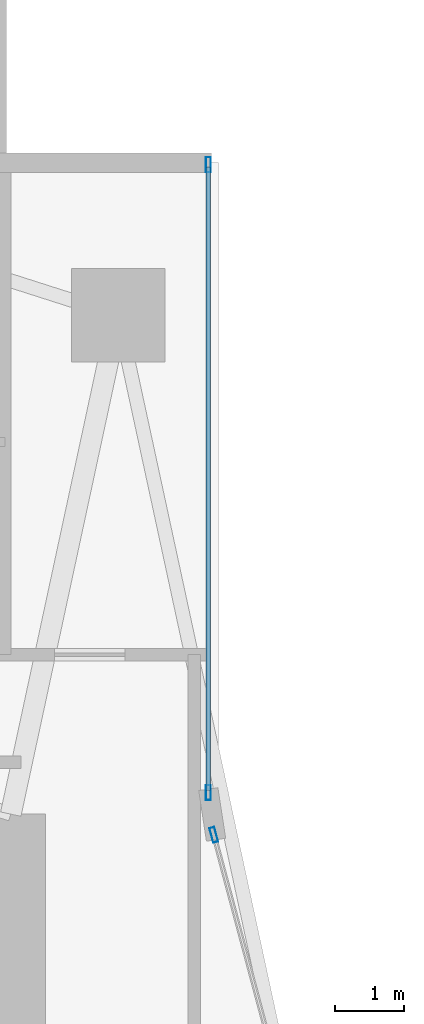
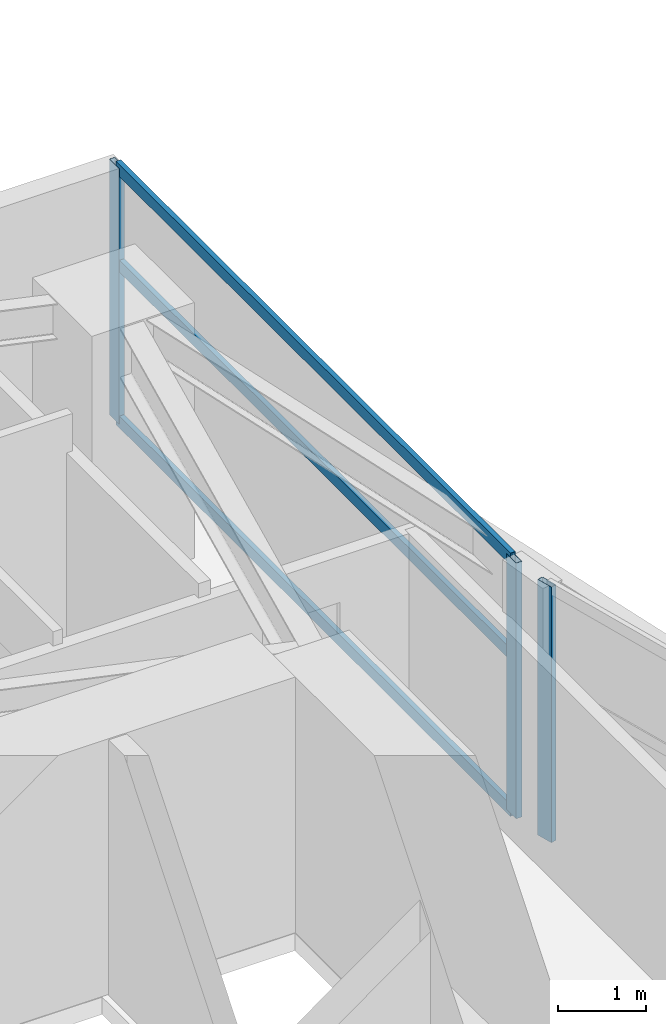
# One storey, part 18 of 29: 6 members, 2 elements without a shape of their own.
"""IFC4 building model written with IfcOpenShell, lengths in metres."""

from ifc_helpers import new_model, si_unit, direction, frame, origin, origin_2d, place, context, subcontext, project, spatial, hollow_rectangle, extrude, material, layer, layer_set, material_profile, profile_set, type_object, element, aggregate, save


model = new_model("IFC4")

# Units and contexts
model_context = context("Model", 3, precision=1e-05, world=origin(), true_north=direction((0.0, 1.0)))
body_context = subcontext(model_context, "Body", "Model", "MODEL_VIEW")
ifc_project = project(units=[si_unit("LENGTHUNIT", "METRE"), si_unit("AREAUNIT", "SQUARE_METRE"), si_unit("VOLUMEUNIT", "CUBIC_METRE"), si_unit("PLANEANGLEUNIT", "RADIAN"), si_unit("MASSUNIT", "GRAM", prefix="KILO")], contexts=[model_context])

# Site, building, storey
site_placement = place(None, origin())
site = spatial("IfcSite", under=ifc_project, at=site_placement, CompositionType="ELEMENT")
building_placement = place(site_placement, origin())
building = spatial("IfcBuilding", under=site, at=building_placement, Name="Calvorn Quay Hotel", CompositionType="ELEMENT")
storey_placement = place(building_placement, frame((0.0, 0.0, 69.800048828125)))
storey = spatial("IfcBuildingStorey", under=building, at=storey_placement, Name="L16", CompositionType="ELEMENT", Elevation=69.800048828125)

# Curtain wall, member
ifc_material_1 = material(Name="Pale Anodised Aluminium and Low-E Glass", Category="aluminium")
ifc_layer = layer(ifc_material_1, 0.219970703125)
ifc_layer_set = layer_set([ifc_layer], Name="CW-SYS-Z1")
curtain_wall_type = type_object("IfcCurtainWallType", Name="CW-SYS-Z1", PredefinedType="NOTDEFINED", material=ifc_layer_set)
curtain_wall_1_placement = place(storey_placement, origin())
curtain_wall_1 = element("IfcCurtainWall", 1, at=curtain_wall_1_placement, inside=storey, type_object=curtain_wall_type, Name="Inner Court Curtain Wall L16-IC1", PredefinedType="NOTDEFINED")
ifc_material_2 = material(Name="Pale Anodised Aluminium 6063-T6", Category="aluminium")
ifc_material_profile_1 = material_profile(ifc_material_2, hollow_rectangle(XDim=0.074951171875, YDim=0.219970703125, WallThickness=0.00439453125, at=origin_2d()), Name="ALU-M220x75x4.5")
ifc_profile_set_1 = profile_set([ifc_material_profile_1], Name="Pale Anodised Aluminium 6063-T6")
member_type_1 = type_object("IfcMemberType", Name="CW-SYS-Z1-MUL", PredefinedType="MULLION", material=ifc_profile_set_1)
member_1_placement = place(storey_placement, frame((17.9296875, 38.10107421875, 0.0), z_axis=(0.0, 0.0, 1.0), x_axis=(-0.96593652056, -0.25877913024, 0.0)))
member_1 = element("IfcMember", 2, at=member_1_placement, type_object=member_type_1, Name="CW-L16-IC1 mullion 2", PredefinedType="MULLION", context=body_context, shape_type="SweptSolid", body=[
    extrude(hollow_rectangle(XDim=0.074951171875, YDim=0.219970703125, WallThickness=0.00439453125, at=origin_2d()), origin(), (0.0, 0.0, 1.0), 3.56005859375),
])
aggregate(curtain_wall_1, [member_1])

# Curtain wall, members
curtain_wall_2_placement = place(storey_placement, origin())
curtain_wall_2 = element("IfcCurtainWall", 3, at=curtain_wall_2_placement, inside=storey, type_object=curtain_wall_type, Name="Inner Court Curtain Wall L16-IC2", PredefinedType="NOTDEFINED")
member_2_placement = place(storey_placement, frame((17.85009765625, 38.7099609375, 0.0), z_axis=(0.0, 0.0, 1.0), x_axis=(-1.0, 0.0, 0.0)))
member_2 = element("IfcMember", 4, at=member_2_placement, type_object=member_type_1, Name="CW-L16-IC2 mullion 1", PredefinedType="MULLION", context=body_context, shape_type="SweptSolid", body=[
    extrude(hollow_rectangle(XDim=0.074951171875, YDim=0.219970703125, WallThickness=0.00439453125, at=origin_2d()), origin(), (0.0, 0.0, 1.0), 3.56005859375),
])
member_3_placement = place(storey_placement, frame((17.85009765625, 47.77001953125, 0.0), z_axis=(0.0, 0.0, 1.0), x_axis=(-1.0, 0.0, 0.0)))
member_3 = element("IfcMember", 5, at=member_3_placement, type_object=member_type_1, Name="CW-L16-IC2 mullion 2", PredefinedType="MULLION", context=body_context, shape_type="SweptSolid", body=[
    extrude(hollow_rectangle(XDim=0.074951171875, YDim=0.219970703125, WallThickness=0.00439453125, at=origin_2d()), origin(), (0.0, 0.0, 1.0), 3.56005859375),
])
ifc_material_3 = material(Name="Pale Anodised Aluminium 6063-T6", Category="aluminium")
ifc_material_profile_2 = material_profile(ifc_material_3, hollow_rectangle(XDim=0.06494140625, YDim=0.1650390625, WallThickness=0.00341796875, at=origin_2d()), Name="ALU-T165x65x3.5")
ifc_profile_set_2 = profile_set([ifc_material_profile_2], Name="Pale Anodised Aluminium 6063-T6")
member_type_2 = type_object("IfcMemberType", Name="CW-SYS-Z1-TRN", PredefinedType="USERDEFINED", material=ifc_profile_set_2)
member_4_placement = place(storey_placement, frame((17.85009765625, 38.739990234375, 0.030029296875), z_axis=(0.0, 1.0, 0.0), x_axis=(-1.0, 0.0, 0.0)))
member_4 = element("IfcMember", 6, at=member_4_placement, type_object=member_type_2, Name="CW-L16-IC2 transom 1.1", ObjectType="TRANSOM", PredefinedType="USERDEFINED", context=body_context, shape_type="SweptSolid", body=[
    extrude(hollow_rectangle(XDim=0.06494140625, YDim=0.1650390625, WallThickness=0.00341796875, at=origin_2d()), origin(), (0.0, 0.0, 1.0), 9.0),
])
member_5_placement = place(storey_placement, frame((17.85009765625, 38.739990234375, 2.199951171875), z_axis=(0.0, 1.0, 0.0), x_axis=(-1.0, 0.0, 0.0)))
member_5 = element("IfcMember", 7, at=member_5_placement, type_object=member_type_2, Name="CW-L16-IC2 transom 1.2", ObjectType="TRANSOM", PredefinedType="USERDEFINED", context=body_context, shape_type="SweptSolid", body=[
    extrude(hollow_rectangle(XDim=0.06494140625, YDim=0.1650390625, WallThickness=0.00341796875, at=origin_2d()), origin(), (0.0, 0.0, 1.0), 9.0),
])
member_6_placement = place(storey_placement, frame((17.85009765625, 38.739990234375, 3.530029296875), z_axis=(0.0, 1.0, 0.0), x_axis=(-1.0, 0.0, 0.0)))
member_6 = element("IfcMember", 8, at=member_6_placement, type_object=member_type_2, Name="CW-L16-IC2 transom 1.3", ObjectType="TRANSOM", PredefinedType="USERDEFINED", context=body_context, shape_type="SweptSolid", body=[
    extrude(hollow_rectangle(XDim=0.06494140625, YDim=0.1650390625, WallThickness=0.00341796875, at=origin_2d()), origin(), (0.0, 0.0, 1.0), 9.0),
])
aggregate(curtain_wall_2, [member_2, member_3, member_4, member_5, member_6])

save(model, "model.ifc")
